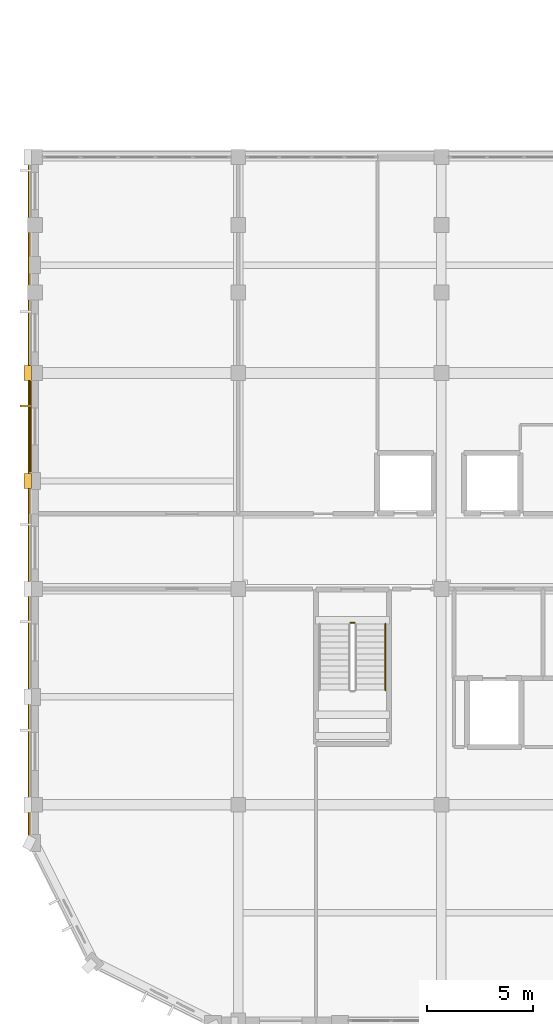
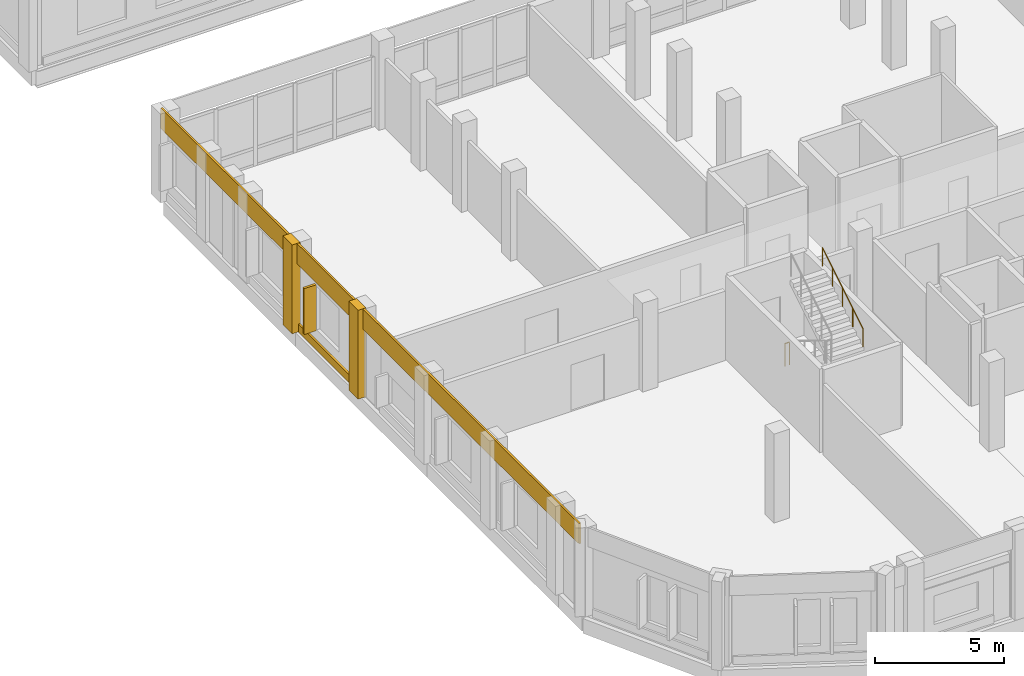
# One storey, part 171 of 185: 4 coverings, 2 railings, 1 shading device.
"""IFC4 building model written with IfcOpenShell, lengths in metres."""

from ifc_helpers import new_model, si_unit, direction, frame, origin, origin_2d, place, context, subcontext, project, spatial, rectangle, circle, extrude, material, layer, layer_set, type_object, element, save


model = new_model("IFC4")

# Units and contexts
model_context = context("Model", 3, precision=1e-05, world=origin(), true_north=direction((0.0, 1.0)))
body_context = subcontext(model_context, "Body", "Model", "MODEL_VIEW")
ifc_project = project(units=[si_unit("LENGTHUNIT", "METRE"), si_unit("AREAUNIT", "SQUARE_METRE"), si_unit("VOLUMEUNIT", "CUBIC_METRE"), si_unit("PLANEANGLEUNIT", "RADIAN"), si_unit("MASSUNIT", "GRAM", prefix="KILO")], contexts=[model_context])

# Site, building, storey
site_placement = place(None, origin())
site = spatial("IfcSite", under=ifc_project, at=site_placement, CompositionType="ELEMENT")
building_placement = place(site_placement, origin())
building = spatial("IfcBuilding", under=site, at=building_placement, Name="Vondelvale Polytechnic", CompositionType="ELEMENT")
storey_placement = place(building_placement, frame((0.0, 0.0, 9.60009765625)))
storey = spatial("IfcBuildingStorey", under=building, at=storey_placement, Name="L02", CompositionType="ELEMENT", Elevation=9.60009765625)

# Coverings
ifc_material_1 = material(Name="Amsterdam School iron-spot clinker clay brickwork", Category="masonry")
ifc_layer_1 = layer(ifc_material_1, 0.090087890625)
ifc_layer_set_1 = layer_set([ifc_layer_1], Name="COV-BRICK-RELIEF")
covering_type = type_object("IfcCoveringType", Name="COV-BRICK-RELIEF", PredefinedType="CLADDING", material=ifc_layer_set_1)
covering_1_placement = place(storey_placement, frame((-0.264892578125, 24.60009765625, 3.239990234375), z_axis=(0.0, 0.0, 1.0), x_axis=(0.0, 1.0, 0.0)))
element("IfcCovering", 1, at=covering_1_placement, inside=storey, type_object=covering_type, Name="L02 exterior masonry spandrel band", PredefinedType="CLADDING", context=body_context, shape_type="SweptSolid", body=[
    extrude(rectangle(XDim=32.39990234375, YDim=0.090087890625, at=origin_2d()), origin(), (0.0, 0.0, 1.0), 0.9599609375),
])
covering_2_placement = place(storey_placement, frame((-0.216064453125, 28.074951171875, 0.0), z_axis=(0.0, 0.0, 1.0), x_axis=(0.0, 1.0, 0.0)))
element("IfcCovering", 2, at=covering_2_placement, inside=storey, type_object=covering_type, Name="L02 exterior corbelled masonry relief band", PredefinedType="CLADDING", context=body_context, shape_type="SweptSolid", body=[
    extrude(rectangle(XDim=4.2880859375, YDim=0.090087890625, at=origin_2d()), origin(), (0.0, 0.0, 1.0), 0.3798828125),
])
for number, where, z_axis, x_axis, name in (
    (3, (-0.340087890625, 25.5, 0.0), (0.0, 0.0, 1.0), (1.0, 0.0, 0.0), "L02 Classical street pilaster"),
    (4, (-0.340087890625, 30.60009765625, 0.0), (0.0, 0.0, 1.0), (1.0, 0.0, 0.0), "L02 Classical street pilaster"),
):
    element("IfcCovering", number, at=place(storey_placement, frame(where, z_axis=z_axis, x_axis=x_axis)), inside=storey, type_object=covering_type, Name=name, PredefinedType="CLADDING", context=body_context, shape_type="SweptSolid", body=[
        extrude(rectangle(XDim=0.360107421875, YDim=0.719970703125, at=origin_2d()), origin(), (0.0, 0.0, 1.0), 4.199951171875),
    ])

# Railings
ifc_material_2 = material(Name="Brushed architectural stainless and zinc-coated metal")
ifc_layer_2 = layer(ifc_material_2, 0.050048828125)
ifc_layer_set_2 = layer_set([ifc_layer_2], Name="RL-STAIR-GUARD")
railing_type_1 = type_object("IfcRailingType", Name="RL-STAIR-GUARD", PredefinedType="GUARDRAIL", material=ifc_layer_set_2)
railing_1_placement = place(storey_placement, frame((14.89990234375, 18.800048828125, 0.0)))
element("IfcRailing", 5, at=railing_1_placement, inside=storey, type_object=railing_type_1, Name="L02 ST-03 stair guard 4", PredefinedType="GUARDRAIL", context=body_context, shape_type="SweptSolid", body=[
    extrude(circle(Radius=0.02392578125, at=origin_2d()), frame((0.0, 0.0, 1.076171875), z_axis=(1.0, 0.0, 0.0), x_axis=(0.0, 1.0, 0.0)), (0.0, 0.0, 1.0), 0.2001953125),
    extrude(circle(Radius=0.02099609375, at=origin_2d()), origin(), (0.0, 0.0, 1.0), 1.052001953125),
    extrude(circle(Radius=0.02099609375, at=origin_2d()), frame((0.2001953125, 0.0, 0.0)), (0.0, 0.0, 1.0), 1.052001953125),
])
ifc_layer_3 = layer(ifc_material_2, 0.048095703125)
ifc_layer_set_3 = layer_set([ifc_layer_3], Name="RL-STAIR-HANDRAIL")
railing_type_2 = type_object("IfcRailingType", Name="RL-STAIR-HANDRAIL", PredefinedType="HANDRAIL", material=ifc_layer_set_3)
railing_2_placement = place(storey_placement, frame((16.550048828125, 15.614990234375, 2.27490234375)))
element("IfcRailing", 6, at=railing_2_placement, inside=storey, type_object=railing_type_2, Name="L02 ST-03 stair handrail 2", PredefinedType="HANDRAIL", context=body_context, shape_type="SweptSolid", body=[
    extrude(circle(Radius=0.02392578125, at=origin_2d()), frame((0.0, 0.0, 0.8759765625), z_axis=(0.0, 0.852166034122, 0.523271488128), x_axis=(-1.0, 0.0, 0.0)), (0.0, 0.0, 1.0), 3.678955078125),
    extrude(circle(Radius=0.02099609375, at=origin_2d()), origin(), (0.0, 0.0, 1.0), 0.851806640625),
    extrude(circle(Radius=0.02099609375, at=origin_2d()), frame((0.0, 0.78369140625, 0.481201171875)), (0.0, 0.0, 1.0), 0.851806640625),
    extrude(circle(Radius=0.02099609375, at=origin_2d()), frame((0.0, 1.5673828125, 0.96240234375)), (0.0, 0.0, 1.0), 0.851806640625),
    extrude(circle(Radius=0.02099609375, at=origin_2d()), frame((0.0, 2.351318359375, 1.44384765625)), (0.0, 0.0, 1.0), 0.851806640625),
    extrude(circle(Radius=0.02099609375, at=origin_2d()), frame((0.0, 3.135009765625, 1.925048828125)), (0.0, 0.0, 1.0), 0.851806640625),
])

# Shading device
ifc_material_3 = material(Name="Kiln-fired architectural terracotta", Category="masonry")
shading_device_type = type_object("IfcShadingDeviceType", Name="SHD-TERRA-FIN-550", PredefinedType="JALOUSIE", material=ifc_material_3)
shading_device_placement = place(storey_placement, frame((-0.43505859375, 29.0400390625, 0.7900390625), z_axis=(0.0, 0.0, 1.0), x_axis=(0.0, 1.0, 0.0)))
element("IfcShadingDevice", 7, at=shading_device_placement, inside=storey, type_object=shading_device_type, Name="L02 vertical terracotta solar fin", PredefinedType="JALOUSIE", context=body_context, shape_type="SweptSolid", body=[
    extrude(rectangle(XDim=0.110107421875, YDim=0.550048828125, at=origin_2d()), origin(), (0.0, 0.0, 1.0), 2.169921875),
])

save(model, "model.ifc")
